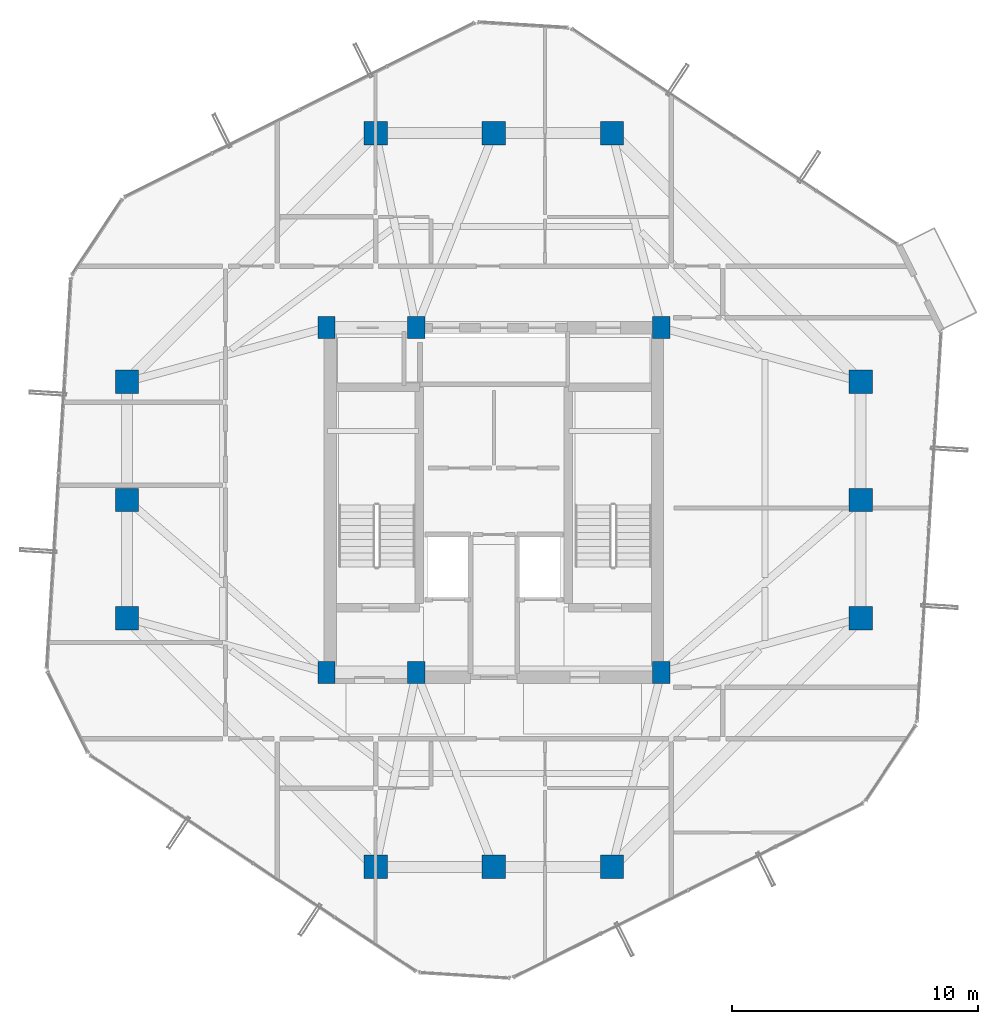
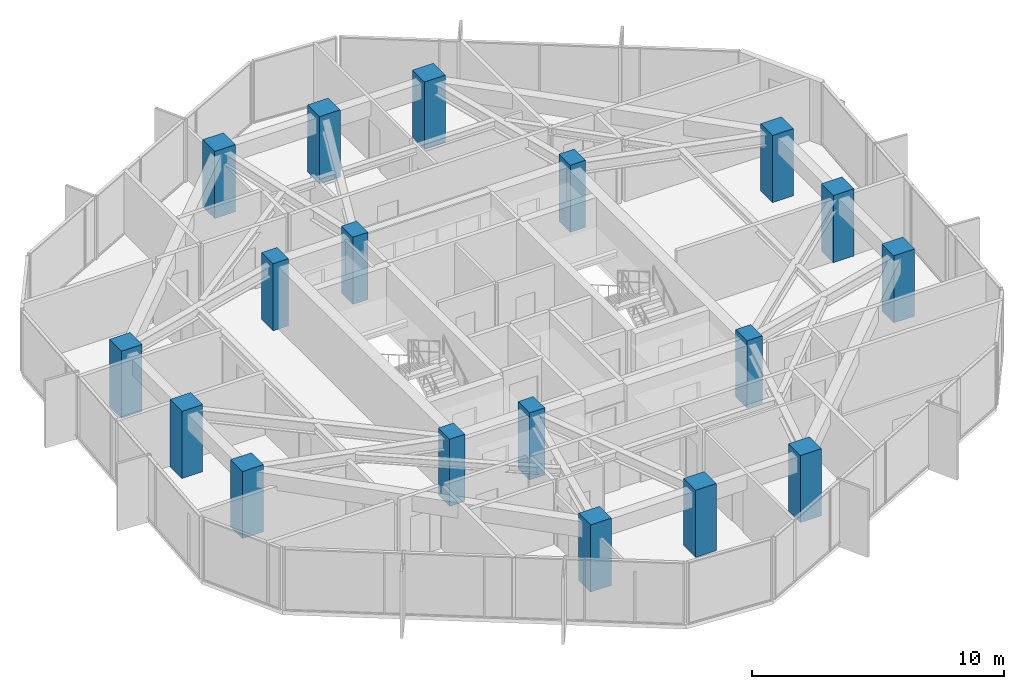
# One storey, part 1 of 29: 18 columns.
"""IFC4 building model written with IfcOpenShell, lengths in metres."""

from ifc_helpers import new_model, si_unit, direction, frame, origin, origin_2d, place, context, subcontext, project, spatial, rectangle, extrude, material, material_profile, profile_set, type_object, element, save


model = new_model("IFC4")

# Units and contexts
model_context = context("Model", 3, precision=1e-05, world=origin(), true_north=direction((0.0, 1.0)))
body_context = subcontext(model_context, "Body", "Model", "MODEL_VIEW")
ifc_project = project(units=[si_unit("LENGTHUNIT", "METRE"), si_unit("AREAUNIT", "SQUARE_METRE"), si_unit("VOLUMEUNIT", "CUBIC_METRE"), si_unit("PLANEANGLEUNIT", "RADIAN"), si_unit("MASSUNIT", "GRAM", prefix="KILO")], contexts=[model_context])

# Site, building, storey
site_placement = place(None, origin())
site = spatial("IfcSite", under=ifc_project, at=site_placement, CompositionType="ELEMENT")
building_placement = place(site_placement, origin())
building = spatial("IfcBuilding", under=site, at=building_placement, Name="Veraguas Prism Commons", CompositionType="ELEMENT")
storey_placement = place(building_placement, frame((0.0, 0.0, 218.89990234375)))
storey = spatial("IfcBuildingStorey", under=building, at=storey_placement, Name="L62", CompositionType="ELEMENT", Elevation=218.89990234375)

# Columns
ifc_material = material(Name="Concrete C50/60", Category="concrete")
ifc_material_profile_1 = material_profile(ifc_material, rectangle(XDim=0.949951171875, YDim=0.949951171875, at=origin_2d()), Name="RC950X950")
ifc_profile_set_1 = profile_set([ifc_material_profile_1], Name="Concrete C50/60")
column_type_1 = type_object("IfcColumnType", Name="Column Tube Z3 RC 950x950", PredefinedType="COLUMN", material=ifc_profile_set_1)
for number, where, z_axis, x_axis, name in (
    (1, (38.89990234375, 19.199951171875, 0.0), (0.0, 0.0, 1.0), (1.0, 0.0, 0.0), "Tower Perimeter Column L62-TB01"),
    (2, (38.89990234375, 24.0, 0.0), (0.0, 0.0, 1.0), (1.0, 0.0, 0.0), "Tower Perimeter Column L62-TB02"),
    (3, (38.89990234375, 28.800048828125, 0.0), (0.0, 0.0, 1.0), (1.0, 0.0, 0.0), "Tower Perimeter Column L62-TB03"),
    (4, (28.800048828125, 38.89990234375, 0.0), (0.0, 0.0, 1.0), (1.0, 0.0, 0.0), "Tower Perimeter Column L62-TB04"),
    (5, (24.0, 38.89990234375, 0.0), (0.0, 0.0, 1.0), (1.0, 0.0, 0.0), "Tower Perimeter Column L62-TB05"),
    (6, (19.199951171875, 38.89990234375, 0.0), (0.0, 0.0, 1.0), (1.0, 0.0, 0.0), "Tower Perimeter Column L62-TB06"),
    (7, (9.10009765625, 28.800048828125, 0.0), (0.0, 0.0, 1.0), (1.0, 0.0, 0.0), "Tower Perimeter Column L62-TB07"),
    (8, (9.10009765625, 24.0, 0.0), (0.0, 0.0, 1.0), (1.0, 0.0, 0.0), "Tower Perimeter Column L62-TB08"),
    (9, (9.10009765625, 19.199951171875, 0.0), (0.0, 0.0, 1.0), (1.0, 0.0, 0.0), "Tower Perimeter Column L62-TB09"),
    (10, (19.199951171875, 9.10009765625, 0.0), (0.0, 0.0, 1.0), (1.0, 0.0, 0.0), "Tower Perimeter Column L62-TB10"),
    (11, (24.0, 9.10009765625, 0.0), (0.0, 0.0, 1.0), (1.0, 0.0, 0.0), "Tower Perimeter Column L62-TB11"),
    (12, (28.800048828125, 9.10009765625, 0.0), (0.0, 0.0, 1.0), (1.0, 0.0, 0.0), "Tower Perimeter Column L62-TB12"),
):
    element("IfcColumn", number, at=place(storey_placement, frame(where, z_axis=z_axis, x_axis=x_axis)), inside=storey, type_object=column_type_1, Name=name, PredefinedType="COLUMN", context=body_context, shape_type="SweptSolid", body=[
        extrude(rectangle(XDim=0.949951171875, YDim=0.949951171875, at=origin_2d()), origin(), (0.0, 0.0, 1.0), 3.25),
    ])
ifc_material_profile_2 = material_profile(ifc_material, rectangle(XDim=0.699951171875, YDim=0.89990234375, at=origin_2d()), Name="RC700X900")
ifc_profile_set_2 = profile_set([ifc_material_profile_2], Name="Concrete C50/60")
column_type_2 = type_object("IfcColumnType", Name="Pilaster Core Upper RC 700x900", PredefinedType="PILASTER", material=ifc_profile_set_2)
for number, where, z_axis, x_axis, name in (
    (13, (17.199951171875, 17.0, 0.0), (0.0, 0.0, 1.0), (1.0, 0.0, 0.0), "Core Pilaster Column L62-CR1"),
    (14, (20.85009765625, 17.0, 0.0), (0.0, 0.0, 1.0), (1.0, 0.0, 0.0), "Core Pilaster Column L62-CR2"),
    (15, (30.800048828125, 17.0, 0.0), (0.0, 0.0, 1.0), (1.0, 0.0, 0.0), "Core Pilaster Column L62-CR3"),
    (16, (17.199951171875, 31.0, 0.0), (0.0, 0.0, 1.0), (1.0, 0.0, 0.0), "Core Pilaster Column L62-CR4"),
    (17, (20.85009765625, 31.0, 0.0), (0.0, 0.0, 1.0), (1.0, 0.0, 0.0), "Core Pilaster Column L62-CR5"),
    (18, (30.800048828125, 31.0, 0.0), (0.0, 0.0, 1.0), (1.0, 0.0, 0.0), "Core Pilaster Column L62-CR6"),
):
    element("IfcColumn", number, at=place(storey_placement, frame(where, z_axis=z_axis, x_axis=x_axis)), inside=storey, type_object=column_type_2, Name=name, PredefinedType="PILASTER", context=body_context, shape_type="SweptSolid", body=[
        extrude(rectangle(XDim=0.699951171875, YDim=0.89990234375, at=origin_2d()), origin(), (0.0, 0.0, 1.0), 3.25),
    ])

save(model, "model.ifc")
